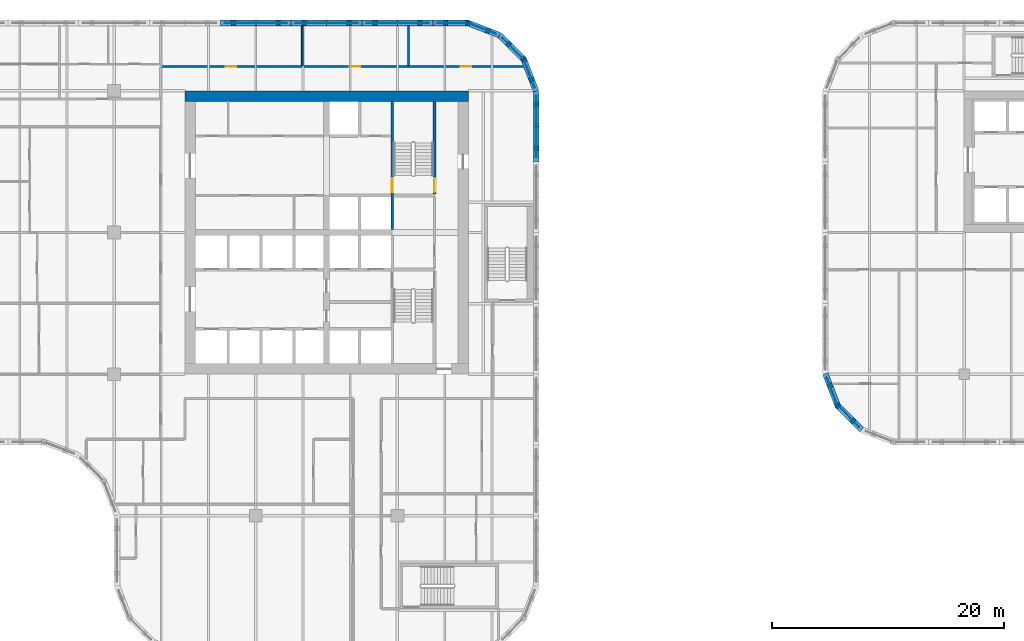
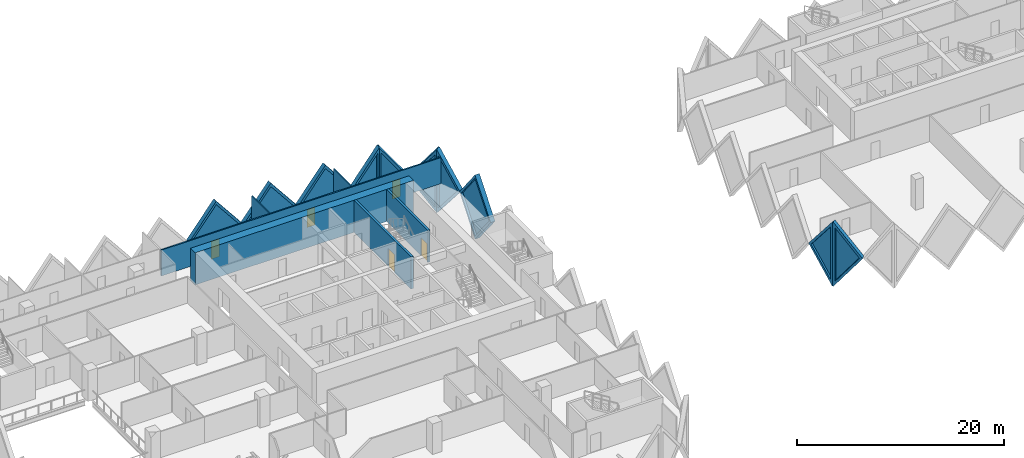
# One storey, part 10 of 18: 16 walls, 10 plates, 5 doors, 15 openings.
"""IFC4 building model written with IfcOpenShell, lengths in metres."""

import ifcopenshell
import ifcopenshell.guid

model = None  # the IFC model being written
_history = None  # IfcOwnerHistory: only IFC2X3 demands one
_inside = {}  # id of a spatial element -> (the spatial element, [elements in it])
_under = {}  # id of a project, library or spatial element -> (it, [spatial elements below it])
_declared = {}  # id of a project -> (the project, [libraries it declares])
_typed = {}  # id of a type object -> (the type object, [elements of that type])
_made_of = {}  # id of a material, layer set ... -> (it, [elements and type objects made of it])


def new_model(schema):
    """Start an empty IFC model of exactly this schema.

    Asked for "IFC4X3", IfcOpenShell would pick the latest addendum, in which some entities
    have other attributes; the version numbers below select the first issue.
    IFC2X3 requires an IfcOwnerHistory on every rooted entity: one is made here for all.
    """
    global model, _history
    if schema == "IFC4X3":
        model = ifcopenshell.file(schema_version=(4, 3, 0, 0))
    else:
        model = ifcopenshell.file(schema=schema)
    _inside.clear()
    _under.clear()
    _declared.clear()
    _typed.clear()
    _made_of.clear()
    _history = None
    if model.schema == "IFC2X3":
        org = make("IfcOrganization", Name="unknown")
        user = make(
            "IfcPersonAndOrganization",
            ThePerson=make("IfcPerson", FamilyName="unknown"),
            TheOrganization=org,
        )
        app = make(
            "IfcApplication",
            ApplicationDeveloper=org,
            Version="unknown",
            ApplicationFullName="unknown",
            ApplicationIdentifier="unknown",
        )
        _history = make(
            "IfcOwnerHistory",
            OwningUser=user,
            OwningApplication=app,
            ChangeAction="ADDED",
            CreationDate=0,
        )
    return model


def make(cls, **values):
    """One entity of the class cls with the attributes given. An attribute that is None is left unset."""
    return model.create_entity(
        cls, **{name: value for name, value in values.items() if value is not None}
    )


def rooted(cls, **values):
    """An entity with a GlobalId (a new one), such as an element, a storey or a relation."""
    return make(cls, GlobalId=ifcopenshell.guid.new(), OwnerHistory=_history, **values)


def si_unit(unit_type, name, prefix=None):
    """IfcSIUnit, for example si_unit("LENGTHUNIT", "METRE", prefix="MILLI")."""
    return make("IfcSIUnit", UnitType=unit_type, Prefix=prefix, Name=name)


def assignment(units):
    """IfcUnitAssignment: the units of a project."""
    return None if units is None else make("IfcUnitAssignment", Units=units)


def point(xyz):
    """IfcCartesianPoint."""
    return None if xyz is None else make("IfcCartesianPoint", Coordinates=xyz)


def direction(xyz):
    """IfcDirection."""
    return None if xyz is None else make("IfcDirection", DirectionRatios=xyz)


def frame(location, z_axis=None, x_axis=None):
    """IfcAxis2Placement3D, a coordinate frame: its origin and axes. An axis left out is left unset."""
    return make(
        "IfcAxis2Placement3D",
        Location=point(location),
        Axis=direction(z_axis),
        RefDirection=direction(x_axis),
    )


def frame_2d(location, x_axis=None):
    """IfcAxis2Placement2D, a coordinate frame in the plane: its origin and x axis."""
    return make(
        "IfcAxis2Placement2D", Location=point(location), RefDirection=direction(x_axis)
    )


def origin():
    """The frame at (0, 0, 0) with its axes left unset."""
    return frame((0.0, 0.0, 0.0))


def place(relative_to, where):
    """IfcLocalPlacement: puts the frame where relative to a parent placement (None: the world)."""
    return make(
        "IfcLocalPlacement", PlacementRelTo=relative_to, RelativePlacement=where
    )


def context(
    kind, dimensions, precision=None, world=None, true_north=None, identifier=None
):
    """IfcGeometricRepresentationContext, for example the 3D "Model" context."""
    return make(
        "IfcGeometricRepresentationContext",
        ContextIdentifier=identifier,
        ContextType=kind,
        CoordinateSpaceDimension=dimensions,
        Precision=precision,
        WorldCoordinateSystem=world,
        TrueNorth=true_north,
    )


def subcontext(parent, identifier, kind, view, scale=None):
    """IfcGeometricRepresentationSubContext, for example "Body" below "Model"."""
    return make(
        "IfcGeometricRepresentationSubContext",
        ContextIdentifier=identifier,
        ContextType=kind,
        ParentContext=parent,
        TargetScale=scale,
        TargetView=view,
    )


def project(units=None, contexts=None):
    """IfcProject with its units and contexts."""
    return rooted(
        "IfcProject",
        Name="project",
        RepresentationContexts=contexts,
        UnitsInContext=assignment(units),
    )


def spatial(cls, under=None, at=None, **own):
    """A site, building, storey or space (cls), placed at a placement, below another one or the project."""
    s = rooted(cls, ObjectPlacement=at, **own)
    if under is not None:
        _under.setdefault(under.id(), (under, []))[1].append(s)
    return s


def polyline(points):
    """IfcPolyline through the points."""
    return make("IfcPolyline", Points=[point(p) for p in points])


def profile(cls, at=None, kind="AREA", **sizes):
    """A parametric profile (cls). Its sizes go by their IFC names, for example OverallWidth=200.0."""
    return make(cls, ProfileType=kind, Position=at, **sizes)


def rectangle(**sizes):
    """IfcRectangleProfileDef."""
    return profile("IfcRectangleProfileDef", **sizes)


def outline(outer, holes=None, kind="AREA"):
    """IfcArbitraryClosedProfileDef: a profile drawn as a closed curve; with holes, ...WithVoids."""
    if holes is None:
        return make("IfcArbitraryClosedProfileDef", ProfileType=kind, OuterCurve=outer)
    return make(
        "IfcArbitraryProfileDefWithVoids",
        ProfileType=kind,
        OuterCurve=outer,
        InnerCurves=holes,
    )


def extrude(swept, where, along, depth):
    """IfcExtrudedAreaSolid: the profile swept, set in the frame where, extruded along a direction by depth."""
    return make(
        "IfcExtrudedAreaSolid",
        SweptArea=swept,
        Position=where,
        ExtrudedDirection=direction(along),
        Depth=depth,
    )


def faces_of(points, faces, orient=None, outer=None):
    """IfcFace entities. A face is a list of loops; a loop is a list of indices into points, from 0.

    orient and outer hold one flag for each loop. By default every Orientation is true, the
    first loop of a face is its IfcFaceOuterBound and the others are IfcFaceBound.
    """
    made = []
    for i, loops in enumerate(faces):
        bounds = []
        for j, loop in enumerate(loops):
            is_outer = j == 0 if outer is None else outer[i][j]
            bounds.append(
                make(
                    "IfcFaceOuterBound" if is_outer else "IfcFaceBound",
                    Bound=make("IfcPolyLoop", Polygon=[points[k] for k in loop]),
                    Orientation=True if orient is None else orient[i][j],
                )
            )
        made.append(make("IfcFace", Bounds=bounds))
    return made


def faceted_brep(points, faces, orient=None, outer=None, voids=None):
    """IfcFacetedBrep: a solid bounded by flat faces; with voids (closed shells), ...WithVoids."""
    shared = [point(p) for p in points]
    hull = make("IfcClosedShell", CfsFaces=faces_of(shared, faces, orient, outer))
    if voids is None:
        return make("IfcFacetedBrep", Outer=hull)
    return make(
        "IfcFacetedBrepWithVoids",
        Outer=hull,
        Voids=[
            make(cls, CfsFaces=faces_of(shared, fs, o, b)) for cls, fs, o, b in voids
        ],
    )


def shape(context_of_items, identifier, shape_type, items):
    """IfcShapeRepresentation: the items that make up one representation, for example the "Body"."""
    return make(
        "IfcShapeRepresentation",
        ContextOfItems=context_of_items,
        RepresentationIdentifier=identifier,
        RepresentationType=shape_type,
        Items=items,
    )


def source(mapping_origin, context_of_items, identifier, shape_type, items):
    """IfcRepresentationMap: a shape defined once, which mapped items show again and again."""
    return make(
        "IfcRepresentationMap",
        MappingOrigin=mapping_origin,
        MappedRepresentation=shape(context_of_items, identifier, shape_type, items),
    )


def transform(
    local_origin,
    x_axis=None,
    y_axis=None,
    z_axis=None,
    scale=None,
    scale2=None,
    scale3=None,
    uniform=True,
):
    """IfcCartesianTransformationOperator3D, or its non-uniform kind. x_axis, y_axis, z_axis: its Axis1, 2, 3."""
    if uniform:
        return make(
            "IfcCartesianTransformationOperator3D",
            Axis1=direction(x_axis),
            Axis2=direction(y_axis),
            LocalOrigin=point(local_origin),
            Scale=scale,
            Axis3=direction(z_axis),
        )
    return make(
        "IfcCartesianTransformationOperator3DnonUniform",
        Axis1=direction(x_axis),
        Axis2=direction(y_axis),
        LocalOrigin=point(local_origin),
        Scale=scale,
        Axis3=direction(z_axis),
        Scale2=scale2,
        Scale3=scale3,
    )


def mapped(mapping_source, mapping_target):
    """IfcMappedItem: shows the shape of a source again, moved by a transform."""
    return make(
        "IfcMappedItem", MappingSource=mapping_source, MappingTarget=mapping_target
    )


def material(Name=None, Category=None):
    """IfcMaterial."""
    return make("IfcMaterial", Name=Name, Category=Category)


def layer(
    of_material, thickness, ventilated=None, Name=None, Category=None, Priority=None
):
    """IfcMaterialLayer: one layer of a wall or slab, of a material (None: an air gap)."""
    return make(
        "IfcMaterialLayer",
        Material=of_material,
        LayerThickness=thickness,
        IsVentilated=ventilated,
        Name=Name,
        Category=Category,
        Priority=Priority,
    )


def layer_set(layers, Name=None):
    """IfcMaterialLayerSet."""
    return make("IfcMaterialLayerSet", MaterialLayers=layers, LayerSetName=Name)


def made_of(thing, what):
    """Note that an element or type object is made of a material, layer set ...; save() writes the relation."""
    if what is not None:
        _made_of.setdefault(what.id(), (what, []))[1].append(thing)
    return thing


def type_object(cls, material=None, **own):
    """A type object (cls), such as IfcWallType, which elements share."""
    return made_of(rooted(cls, **own), material)


def element(
    cls,
    number,
    at=None,
    inside=None,
    cuts=None,
    type_object=None,
    material=None,
    context=None,
    identifier="Body",
    shape_type=None,
    held_by="IfcProductDefinitionShape",
    body=None,
    shapes=None,
    **own,
):
    """One element of the class cls, such as IfcWall. Its Tag is "e" and its number.

    at: its placement. inside: the storey or other place that contains it. cuts: it is an
    opening in that element (IfcRelVoidsElement). A single representation is given by context,
    identifier, shape_type and body (its items); several are given by shapes. held_by: the class
    of the entity that holds the representations. save() writes the other relations.
    """
    e = rooted(cls, Tag="e%d" % number, ObjectPlacement=at, **own)
    if body is not None:
        shapes = [shape(context, identifier, shape_type, body)]
    if shapes is not None:
        e.Representation = make(held_by, Representations=shapes)
    if inside is not None:
        _inside.setdefault(inside.id(), (inside, []))[1].append(e)
    if cuts is not None:
        rooted(
            "IfcRelVoidsElement", RelatingBuildingElement=cuts, RelatedOpeningElement=e
        )
    if type_object is not None:
        _typed.setdefault(type_object.id(), (type_object, []))[1].append(e)
    return made_of(e, material)


def fill(opening, filler):
    """IfcRelFillsElement: the door or window that sits in an opening."""
    return rooted(
        "IfcRelFillsElement",
        RelatingOpeningElement=opening,
        RelatedBuildingElement=filler,
    )


def aggregate(whole, parts):
    """IfcRelAggregates: a whole, such as a stair, and the parts it consists of."""
    return rooted("IfcRelAggregates", RelatingObject=whole, RelatedObjects=parts)


def save(model, path):
    """Write the relations noted so far, then the file.

    IfcRelAggregates (storeys below a building ...), IfcRelContainedInSpatialStructure (elements
    in a storey), IfcRelDefinesByType, IfcRelAssociatesMaterial and IfcRelDeclares: one each for
    every whole, place, type object, material and project.
    """
    for whole, parts in _under.values():
        aggregate(whole, parts)
    for where, things in _inside.values():
        rooted(
            "IfcRelContainedInSpatialStructure",
            RelatedElements=things,
            RelatingStructure=where,
        )
    for kind, things in _typed.values():
        rooted("IfcRelDefinesByType", RelatedObjects=things, RelatingType=kind)
    for what, things in _made_of.values():
        rooted("IfcRelAssociatesMaterial", RelatedObjects=things, RelatingMaterial=what)
    for by, libraries in _declared.values():
        rooted("IfcRelDeclares", RelatingContext=by, RelatedDefinitions=libraries)
    model.write(path)


model = new_model("IFC4")

# Units and contexts
model_context = context("Model", 3, precision=1e-05, world=origin(), true_north=direction((0.0, 1.0)))
body_context = subcontext(model_context, "Body", "Model", "MODEL_VIEW")
ifc_project = project(units=[si_unit("LENGTHUNIT", "METRE"), si_unit("AREAUNIT", "SQUARE_METRE"), si_unit("VOLUMEUNIT", "CUBIC_METRE"), si_unit("PLANEANGLEUNIT", "RADIAN"), si_unit("MASSUNIT", "GRAM", prefix="KILO")], contexts=[model_context])

# Site, building, storey
site_placement = place(None, origin())
site = spatial("IfcSite", under=ifc_project, at=site_placement, CompositionType="ELEMENT")
building_placement = place(site_placement, origin())
building = spatial("IfcBuilding", under=site, at=building_placement, Name="Tessera Gate Towers", CompositionType="ELEMENT")
storey_placement = place(building_placement, frame((0.0, 0.0, 41.0)))
storey = spatial("IfcBuildingStorey", under=building, at=storey_placement, Name="L09", CompositionType="ELEMENT", Elevation=41.0)

# Wall, opening, door
ifc_material_1 = material(Name="Concrete C40/50", Category="concrete")
ifc_layer_1 = layer(ifc_material_1, 0.25)
ifc_layer_set_1 = layer_set([ifc_layer_1], Name="CORE ENCLOSURE WALL 250")
wall_type_1 = type_object("IfcWallType", Name="CORE ENCLOSURE WALL 250", PredefinedType="SOLIDWALL", material=ifc_layer_set_1)
wall_1_placement = place(storey_placement, frame((48.35009765625, 47.89990234375, 0.0), z_axis=(0.0, 0.0, 1.0), x_axis=(0.0, -1.0, 0.0)))
wall_1 = element("IfcWall", 1, at=wall_1_placement, inside=storey, type_object=wall_type_1, Name="L09 shaft and stair enclosure wall", PredefinedType="SOLIDWALL", context=body_context, shape_type="SweptSolid", body=[
    extrude(rectangle(XDim=11.0498046875, YDim=0.25, at=frame_2d((5.52490234375, 0.0))), origin(), (0.0, 0.0, 1.0), 3.800048828125),
])
shared_shape_1 = source(origin(), body_context, "Body", "SweptSolid", [
    extrude(rectangle(XDim=1.199951171875, YDim=2.10009765625, at=frame_2d((0.60009765625, 1.050048828125))), frame((0.0, 0.135009765625, 0.0), z_axis=(0.0, -1.0, 0.0), x_axis=(1.0, 0.0, 0.0)), (0.0, 0.0, 1.0), 0.27001953125),
])
opening_1_placement = place(wall_1_placement, frame((6.625, 0.0, 0.0)))
opening_1 = element("IfcOpeningElement", 2, at=opening_1_placement, cuts=wall_1, Name="Opening SD-ST2-1", PredefinedType="OPENING", context=body_context, shape_type="MappedRepresentation", body=[
    mapped(shared_shape_1, transform((0.0, 0.0, 0.0), scale=1.0)),
])
ifc_material_2 = material(Name="Hollow steel fire door", Category="steel")
door_type_1 = type_object("IfcDoorType", Name="CORE DOOR SD 1200x2100", OperationType="NOTDEFINED", PredefinedType="DOOR", material=ifc_material_2)
shared_shape_2 = source(origin(), body_context, "Body", "SweptSolid", [
    extrude(rectangle(XDim=1.199951171875, YDim=2.10009765625, at=frame_2d((0.60009765625, 1.050048828125))), frame((0.0, 0.02490234375, 0.0), z_axis=(0.0, -1.0, 0.0), x_axis=(1.0, 0.0, 0.0)), (0.0, 0.0, 1.0), 0.050048828125),
])
door_1_placement = place(opening_1_placement, origin())
door_1 = element("IfcDoor", 3, at=door_1_placement, inside=storey, type_object=door_type_1, Name="Stair door", OperationType="SINGLE_SWING_RIGHT", OverallHeight=2.10009765625, OverallWidth=1.199951171875, PredefinedType="DOOR", context=body_context, shape_type="MappedRepresentation", body=[
    mapped(shared_shape_2, transform((0.0, 0.0, 0.0), scale=1.0)),
])
fill(opening_1, door_1)

wall_2_placement = place(storey_placement, frame((52.0, 39.925048828125, 0.0), z_axis=(0.0, 0.0, 1.0), x_axis=(0.0, 1.0, 0.0)))
wall_2 = element("IfcWall", 4, at=wall_2_placement, inside=storey, type_object=wall_type_1, Name="L09 shaft and stair enclosure wall", PredefinedType="SOLIDWALL", context=body_context, shape_type="SweptSolid", body=[
    extrude(rectangle(XDim=7.974853515625, YDim=0.25, at=frame_2d((3.9873046875, 0.0))), origin(), (0.0, 0.0, 1.0), 3.800048828125),
])
opening_2_placement = place(wall_2_placement, frame((0.14990234375, 0.0, 0.0)))
opening_2 = element("IfcOpeningElement", 5, at=opening_2_placement, cuts=wall_2, Name="Opening SD-ST2-2", PredefinedType="OPENING", context=body_context, shape_type="MappedRepresentation", body=[
    mapped(shared_shape_1, transform((0.0, 0.0, 0.0), scale=1.0)),
])
door_2_placement = place(opening_2_placement, origin())
door_2 = element("IfcDoor", 6, at=door_2_placement, inside=storey, type_object=door_type_1, Name="Stair door", OperationType="SINGLE_SWING_LEFT", OverallHeight=2.10009765625, OverallWidth=1.199951171875, PredefinedType="DOOR", context=body_context, shape_type="MappedRepresentation", body=[
    mapped(shared_shape_2, transform((0.0, 0.0, 0.0), scale=1.0)),
])
fill(opening_2, door_2)

# Wall
ifc_material_3 = material(Name="Concrete C70/85", Category="concrete")
ifc_layer_2 = layer(ifc_material_3, 0.89990234375)
ifc_layer_set_2 = layer_set([ifc_layer_2], Name="CORE SHEAR WALL 900 C70/85")
wall_type_2 = type_object("IfcWallType", Name="CORE SHEAR WALL 900 C70/85", PredefinedType="SHEAR", material=ifc_layer_set_2)
wall_3_placement = place(storey_placement, frame((30.5, 48.35009765625, 0.0), z_axis=(0.0, 0.0, 1.0), x_axis=(1.0, 0.0, 0.0)))
element("IfcWall", 7, at=wall_3_placement, inside=storey, type_object=wall_type_2, Name="Core wall N L09", PredefinedType="SHEAR", context=body_context, shape_type="SweptSolid", body=[
    extrude(rectangle(XDim=24.39990234375, YDim=0.89990234375, at=frame_2d((12.199951171875, 0.0))), origin(), (0.0, 0.0, 1.0), 3.800048828125),
])

# Wall, openings, doors
ifc_material_4 = material(Name="Gypsum board on steel studs, mineral wool", Category="steel")
ifc_layer_3 = layer(ifc_material_4, 0.14990234375)
ifc_layer_set_3 = layer_set([ifc_layer_3], Name="CORRIDOR WALL 150")
wall_type_3 = type_object("IfcWallType", Name="CORRIDOR WALL 150", PredefinedType="PARTITIONING", material=ifc_layer_set_3)
wall_4_placement = place(storey_placement, frame((28.39990234375, 50.89990234375, 0.0), z_axis=(0.0, 0.0, 1.0), x_axis=(1.0, 0.0, 0.0)))
wall_4 = element("IfcWall", 8, at=wall_4_placement, inside=storey, type_object=wall_type_3, Name="T1-L09-PW-046", PredefinedType="PARTITIONING", context=body_context, shape_type="SweptSolid", body=[
    extrude(rectangle(XDim=31.254150390625, YDim=0.14990234375, at=frame_2d((15.626953125, 0.0))), origin(), (0.0, 0.0, 1.0), 3.06689453125),
])
shared_shape_3 = source(origin(), body_context, "Body", "SweptSolid", [
    extrude(rectangle(XDim=0.89990234375, YDim=2.10009765625, at=frame_2d((0.449951171875, 1.050048828125))), frame((0.0, 0.0849609375, 0.0), z_axis=(0.0, -1.0, 0.0), x_axis=(1.0, 0.0, 0.0)), (0.0, 0.0, 1.0), 0.169921875),
])
opening_3_placement = place(wall_4_placement, frame((16.301025390625, 0.0, 0.0)))
opening_3 = element("IfcOpeningElement", 9, at=opening_3_placement, cuts=wall_4, Name="Opening D890FD60-A03-09", PredefinedType="OPENING", context=body_context, shape_type="MappedRepresentation", body=[
    mapped(shared_shape_3, transform((0.0, 0.0, 0.0), scale=1.0)),
])
opening_4_placement = place(wall_4_placement, frame((25.85009765625, 0.0, 0.0)))
opening_4 = element("IfcOpeningElement", 10, at=opening_4_placement, cuts=wall_4, Name="Opening D890FD60-A03-11", PredefinedType="OPENING", context=body_context, shape_type="MappedRepresentation", body=[
    mapped(shared_shape_3, transform((0.0, 0.0, 0.0), scale=1.0)),
])
opening_5_placement = place(wall_4_placement, frame((5.60009765625, 0.0, 0.0)))
opening_5 = element("IfcOpeningElement", 11, at=opening_5_placement, cuts=wall_4, Name="Opening D890FD60-A03-13", PredefinedType="OPENING", context=body_context, shape_type="MappedRepresentation", body=[
    mapped(shared_shape_3, transform((0.0, 0.0, 0.0), scale=1.0)),
])
ifc_material_5 = material(Name="Timber door leaf in steel frame", Category="steel")
door_type_2 = type_object("IfcDoorType", Name="CORRIDOR DOOR 900 FD60", OperationType="NOTDEFINED", PredefinedType="DOOR", material=ifc_material_5)
shared_shape_4 = source(origin(), body_context, "Body", "SweptSolid", [
    extrude(rectangle(XDim=0.89990234375, YDim=2.10009765625, at=frame_2d((0.449951171875, 1.050048828125))), frame((0.0, 0.02490234375, 0.0), z_axis=(0.0, -1.0, 0.0), x_axis=(1.0, 0.0, 0.0)), (0.0, 0.0, 1.0), 0.050048828125),
])
door_3_placement = place(opening_3_placement, origin())
door_3 = element("IfcDoor", 12, at=door_3_placement, inside=storey, type_object=door_type_2, Name="T1-L09-PD-026", OperationType="SINGLE_SWING_LEFT", OverallHeight=2.10009765625, OverallWidth=0.89990234375, PredefinedType="DOOR", context=body_context, shape_type="MappedRepresentation", body=[
    mapped(shared_shape_4, transform((0.0, 0.0, 0.0), scale=1.0)),
])
fill(opening_3, door_3)
door_4_placement = place(opening_4_placement, origin())
door_4 = element("IfcDoor", 13, at=door_4_placement, inside=storey, type_object=door_type_2, Name="T1-L09-PD-028", OperationType="SINGLE_SWING_LEFT", OverallHeight=2.10009765625, OverallWidth=0.89990234375, PredefinedType="DOOR", context=body_context, shape_type="MappedRepresentation", body=[
    mapped(shared_shape_4, transform((0.0, 0.0, 0.0), scale=1.0)),
])
fill(opening_4, door_4)
door_5_placement = place(opening_5_placement, origin())
door_5 = element("IfcDoor", 14, at=door_5_placement, inside=storey, type_object=door_type_2, Name="T1-L09-PD-030", OperationType="SINGLE_SWING_LEFT", OverallHeight=2.10009765625, OverallWidth=0.89990234375, PredefinedType="DOOR", context=body_context, shape_type="MappedRepresentation", body=[
    mapped(shared_shape_4, transform((0.0, 0.0, 0.0), scale=1.0)),
])
fill(opening_5, door_5)

# Walls
ifc_material_6 = material(Name="Gypsum board on steel studs, mineral wool", Category="steel")
ifc_layer_4 = layer(ifc_material_6, 0.14990234375)
ifc_layer_set_4 = layer_set([ifc_layer_4], Name="TENANCY WALL 150")
wall_type_4 = type_object("IfcWallType", Name="TENANCY WALL 150", PredefinedType="PARTITIONING", material=ifc_layer_set_4)
for number, where, z_axis, x_axis, name in (
    (15, (40.60009765625, 50.97607421875, 0.0), (0.0, 0.0, 1.0), (0.0, 1.0, 0.0), "T1-L09-PW-047"),
    (16, (49.75, 50.97607421875, 0.0), (0.0, 0.0, 1.0), (0.0, 1.0, 0.0), "T1-L09-PW-048"),
):
    element("IfcWall", number, at=place(storey_placement, frame(where, z_axis=z_axis, x_axis=x_axis)), inside=storey, type_object=wall_type_4, Name=name, PredefinedType="PARTITIONING", context=body_context, shape_type="SweptSolid", body=[
        extrude(rectangle(XDim=3.423828125, YDim=0.14990234375, at=frame_2d((1.7119140625, 0.0))), origin(), (0.0, 0.0, 1.0), 3.06689453125),
    ])

# Wall, opening, plate
ifc_material_7 = material(Name="Precast concrete C60/75 white", Category="concrete")
ifc_layer_5 = layer(ifc_material_7, 0.5)
ifc_layer_set_5 = layer_set([ifc_layer_5], Name="TS1 tessera")
wall_type_5 = type_object("IfcWallType", Name="TS1 tessera", PredefinedType="SOLIDWALL", material=ifc_layer_set_5)
shared_shape_5 = source(origin(), body_context, "Body", "Brep", [
    faceted_brep([(3.050048828125, -0.25, 0.0), (6.099853515625, -0.25, 3.7998046875), (6.099853515625, -0.25, 3.80029296875), (3.050048828125, -0.25, 7.60009765625), (0.0, -0.25, 3.800048828125), (0.0, 0.25, 3.800048828125), (3.050048828125, 0.25, 7.60009765625), (6.099853515625, 0.25, 3.80029296875), (6.099853515625, 0.25, 3.7998046875), (3.050048828125, 0.25, 0.0)], [[[0, 1, 2, 3, 4]], [[5, 6, 7, 8, 9]], [[9, 8, 1, 0]], [[7, 6, 3, 2]], [[6, 5, 4, 3]], [[5, 9, 0, 4]], [[1, 8, 7, 2]]]),
])
wall_5_placement = place(storey_placement, frame((39.64990234375, 54.64990234375, -3.800048828125), z_axis=(0.0, 0.0, 1.0), x_axis=(-1.0, 0.0, 0.0)))
wall_5 = element("IfcWall", 17, at=wall_5_placement, inside=storey, type_object=wall_type_5, Name="Precast tessera T1 TS1-0104", PredefinedType="SOLIDWALL", context=body_context, shape_type="MappedRepresentation", body=[
    mapped(shared_shape_5, transform((0.0, 0.0, 0.0), scale=1.0)),
])
shared_shape_6 = source(origin(), body_context, "Body", "SweptSolid", [
    extrude(outline(polyline([(3.050048828125, 0.3994140625), (5.779541015625, 3.800048828125), (3.050048828125, 7.20068359375), (0.320556640625, 3.800048828125), (3.050048828125, 0.3994140625)])), frame((0.0, 0.260009765625, 0.0), z_axis=(0.0, -1.0, 0.0), x_axis=(1.0, 0.0, 0.0)), (0.0, 0.0, 1.0), 0.52001953125),
])
opening_6_placement = place(wall_5_placement, origin())
opening_6 = element("IfcOpeningElement", 18, at=opening_6_placement, cuts=wall_5, Name="Opening T1-PL2-0210", PredefinedType="OPENING", context=body_context, shape_type="MappedRepresentation", body=[
    mapped(shared_shape_6, transform((0.0, 0.0, 0.0), scale=1.0)),
])
ifc_material_8 = material(Name="Low-e laminated glass", Category="glass")
ifc_layer_6 = layer(ifc_material_8, 0.06005859375)
ifc_layer_set_6 = layer_set([ifc_layer_6], Name="PL2 rhombic pane")
plate_type = type_object("IfcPlateType", Name="PL2 rhombic pane", PredefinedType="SHEET", material=ifc_layer_set_6)
shared_shape_7 = source(origin(), body_context, "Body", "SweptSolid", [
    extrude(outline(polyline([(3.050048828125, 0.3994140625), (5.779541015625, 3.800048828125), (3.050048828125, 7.20068359375), (0.320556640625, 3.800048828125), (3.050048828125, 0.3994140625)])), frame((0.0, 0.030029296875, 0.0), z_axis=(0.0, -1.0, 0.0), x_axis=(1.0, 0.0, 0.0)), (0.0, 0.0, 1.0), 0.06005859375),
])
plate_1_placement = place(opening_6_placement, origin())
plate_1 = element("IfcPlate", 19, at=plate_1_placement, inside=storey, type_object=plate_type, Name="Glass pane T1 PL2-0210", PredefinedType="SHEET", context=body_context, shape_type="MappedRepresentation", body=[
    mapped(shared_shape_7, transform((0.0, 0.0, 0.0), scale=1.0)),
])
fill(opening_6, plate_1)

shared_shape_8 = source(origin(), body_context, "Body", "SweptSolid", [
    extrude(outline(polyline([(3.050048828125, 0.0), (6.10009765625, 3.800048828125), (3.050048828125, 7.60009765625), (0.0, 3.800048828125), (3.050048828125, 0.0)])), frame((0.0, 0.25, 0.0), z_axis=(0.0, -1.0, 0.0), x_axis=(1.0, 0.0, 0.0)), (0.0, 0.0, 1.0), 0.5),
])
wall_6_placement = place(storey_placement, frame((51.85009765625, 54.64990234375, -3.800048828125), z_axis=(0.0, 0.0, 1.0), x_axis=(-1.0, 0.0, 0.0)))
wall_6 = element("IfcWall", 20, at=wall_6_placement, inside=storey, type_object=wall_type_5, Name="Precast tessera T1 TS1-0102", PredefinedType="SOLIDWALL", context=body_context, shape_type="MappedRepresentation", body=[
    mapped(shared_shape_8, transform((0.0, 0.0, 0.0), scale=1.0)),
])
opening_7_placement = place(wall_6_placement, origin())
opening_7 = element("IfcOpeningElement", 21, at=opening_7_placement, cuts=wall_6, Name="Opening T1-PL2-0208", PredefinedType="OPENING", context=body_context, shape_type="MappedRepresentation", body=[
    mapped(shared_shape_6, transform((0.0, 0.0, 0.0), scale=1.0)),
])
plate_2_placement = place(opening_7_placement, origin())
plate_2 = element("IfcPlate", 22, at=plate_2_placement, inside=storey, type_object=plate_type, Name="Glass pane T1 PL2-0208", PredefinedType="SHEET", context=body_context, shape_type="MappedRepresentation", body=[
    mapped(shared_shape_7, transform((0.0, 0.0, 0.0), scale=1.0)),
])
fill(opening_7, plate_2)

wall_7_placement = place(storey_placement, frame((45.75, 54.64990234375, -3.800048828125), z_axis=(0.0, 0.0, 1.0), x_axis=(-1.0, 0.0, 0.0)))
wall_7 = element("IfcWall", 23, at=wall_7_placement, inside=storey, type_object=wall_type_5, Name="Precast tessera T1 TS1-0103", PredefinedType="SOLIDWALL", context=body_context, shape_type="MappedRepresentation", body=[
    mapped(shared_shape_8, transform((0.0, 0.0, 0.0), scale=1.0)),
])
opening_8_placement = place(wall_7_placement, origin())
opening_8 = element("IfcOpeningElement", 24, at=opening_8_placement, cuts=wall_7, Name="Opening T1-PL2-0209", PredefinedType="OPENING", context=body_context, shape_type="MappedRepresentation", body=[
    mapped(shared_shape_6, transform((0.0, 0.0, 0.0), scale=1.0)),
])
plate_3_placement = place(opening_8_placement, origin())
plate_3 = element("IfcPlate", 25, at=plate_3_placement, inside=storey, type_object=plate_type, Name="Glass pane T1 PL2-0209", PredefinedType="SHEET", context=body_context, shape_type="MappedRepresentation", body=[
    mapped(shared_shape_7, transform((0.0, 0.0, 0.0), scale=1.0)),
])
fill(opening_8, plate_3)

shared_shape_9 = source(origin(), body_context, "Body", "Brep", [
    faceted_brep([(3.050048828125, -0.25, 0.0), (6.053466796875, -0.25, 3.800048828125), (3.050048828125, -0.25, 7.60009765625), (0.0, -0.25, 3.800048828125), (0.0, 0.25, 3.800048828125), (3.050048828125, 0.25, 7.60009765625), (6.0068359375, 0.25, 3.85888671875), (6.0068359375, 0.25, 3.7412109375), (3.050048828125, 0.25, 0.0), (6.053466796875, 0.0, 3.800048828125)], [[[0, 1, 2, 3]], [[4, 5, 6, 7, 8]], [[8, 7, 9, 1, 0]], [[6, 5, 2, 1, 9]], [[5, 4, 3, 2]], [[4, 8, 0, 3]], [[9, 7, 6]]]),
])
wall_8_placement = place(storey_placement, frame((60.75, 42.699951171875, -3.800048828125), z_axis=(0.0, 0.0, 1.0), x_axis=(0.0, 1.0, 0.0)))
wall_8 = element("IfcWall", 26, at=wall_8_placement, inside=storey, type_object=wall_type_5, Name="Precast tessera T1 TS1-0101", PredefinedType="SOLIDWALL", context=body_context, shape_type="MappedRepresentation", body=[
    mapped(shared_shape_9, transform((0.0, 0.0, 0.0), scale=1.0)),
])
shared_shape_10 = source(origin(), body_context, "Body", "SweptSolid", [
    extrude(outline(polyline([(3.048583984375, 0.4013671875), (5.73486328125, 3.800048828125), (3.048583984375, 7.19873046875), (0.320556640625, 3.800048828125), (3.048583984375, 0.4013671875)])), frame((0.0, 0.260009765625, 0.0), z_axis=(0.0, -1.0, 0.0), x_axis=(1.0, 0.0, 0.0)), (0.0, 0.0, 1.0), 0.52001953125),
])
opening_9_placement = place(wall_8_placement, origin())
opening_9 = element("IfcOpeningElement", 27, at=opening_9_placement, cuts=wall_8, Name="Opening T1-PL2-0203", PredefinedType="OPENING", context=body_context, shape_type="MappedRepresentation", body=[
    mapped(shared_shape_10, transform((0.0, 0.0, 0.0), scale=1.0)),
])
shared_shape_11 = source(origin(), body_context, "Body", "SweptSolid", [
    extrude(outline(polyline([(3.048583984375, 0.4013671875), (5.73486328125, 3.800048828125), (3.048583984375, 7.19873046875), (0.320556640625, 3.800048828125), (3.048583984375, 0.4013671875)])), frame((0.0, 0.030029296875, 0.0), z_axis=(0.0, -1.0, 0.0), x_axis=(1.0, 0.0, 0.0)), (0.0, 0.0, 1.0), 0.06005859375),
])
plate_4_placement = place(opening_9_placement, origin())
plate_4 = element("IfcPlate", 28, at=plate_4_placement, inside=storey, type_object=plate_type, Name="Glass pane T1 PL2-0203", PredefinedType="SHEET", context=body_context, shape_type="MappedRepresentation", body=[
    mapped(shared_shape_11, transform((0.0, 0.0, 0.0), scale=1.0)),
])
fill(opening_9, plate_4)

ifc_material_9 = material(Name="Precast concrete C60/75 white", Category="concrete")
ifc_layer_7 = layer(ifc_material_9, 0.5)
ifc_layer_set_7 = layer_set([ifc_layer_7], Name="TS3 corner tessera")
wall_type_6 = type_object("IfcWallType", Name="TS3 corner tessera", PredefinedType="SOLIDWALL", material=ifc_layer_set_7)
shared_shape_12 = source(origin(), body_context, "Body", "Brep", [
    faceted_brep([(2.950439453125, -0.25, 0.0), (2.9970703125, -0.25, 0.05908203125), (2.9970703125, -0.25, 7.541015625), (2.950439453125, -0.25, 7.60009765625), (0.0, -0.25, 3.800048828125), (0.052978515625, 0.25, 3.8681640625), (2.904052734375, 0.25, 7.540283203125), (2.904052734375, 0.25, 0.059814453125), (0.052978515625, 0.25, 3.73193359375), (2.950439453125, 0.00048828125, 0.0), (2.950439453125, 0.00048828125, 7.60009765625), (0.0, 0.0, 3.800048828125)], [[[0, 1, 2, 3, 4]], [[5, 6, 7, 8]], [[1, 0, 9]], [[10, 3, 2]], [[6, 5, 11, 4, 3, 10]], [[8, 7, 9, 0, 4, 11]], [[8, 11, 5]], [[1, 9, 7, 6, 10, 2]]]),
])
wall_9_placement = place(storey_placement, frame((57.606201171875, 53.588134765625, -3.800048828125), z_axis=(0.0, 0.0, 1.0), x_axis=(-0.932990326376, 0.359901446078, 0.0)))
wall_9 = element("IfcWall", 29, at=wall_9_placement, inside=storey, type_object=wall_type_6, Name="Precast corner tessera T1 TS3-0177", PredefinedType="SOLIDWALL", context=body_context, shape_type="MappedRepresentation", body=[
    mapped(shared_shape_12, transform((0.0, 0.0, 0.0), scale=1.0)),
])
shared_shape_13 = source(origin(), body_context, "Body", "SweptSolid", [
    extrude(outline(polyline([(2.75048828125, 6.934814453125), (0.31640625, 3.800048828125), (2.75048828125, 0.665283203125), (2.75048828125, 6.934814453125)])), frame((0.0, 0.260009765625, 0.0), z_axis=(0.0, -1.0, 0.0), x_axis=(1.0, 0.0, 0.0)), (0.0, 0.0, 1.0), 0.52001953125),
])
opening_10_placement = place(wall_9_placement, origin())
opening_10 = element("IfcOpeningElement", 30, at=opening_10_placement, cuts=wall_9, Name="Opening T1-PL2-0206", PredefinedType="OPENING", context=body_context, shape_type="MappedRepresentation", body=[
    mapped(shared_shape_13, transform((0.0, 0.0, 0.0), scale=1.0)),
])
shared_shape_14 = source(origin(), body_context, "Body", "SweptSolid", [
    extrude(outline(polyline([(2.75048828125, 6.934814453125), (0.31640625, 3.800048828125), (2.75048828125, 0.665283203125), (2.75048828125, 6.934814453125)])), frame((0.0, 0.030029296875, 0.0), z_axis=(0.0, -1.0, 0.0), x_axis=(1.0, 0.0, 0.0)), (0.0, 0.0, 1.0), 0.06005859375),
])
plate_5_placement = place(opening_10_placement, origin())
plate_5 = element("IfcPlate", 31, at=plate_5_placement, inside=storey, type_object=plate_type, Name="Glass pane T1 PL2-0206", PredefinedType="SHEET", context=body_context, shape_type="MappedRepresentation", body=[
    mapped(shared_shape_14, transform((0.0, 0.0, 0.0), scale=1.0)),
])
fill(opening_10, plate_5)

shared_shape_15 = source(origin(), body_context, "Body", "Brep", [
    faceted_brep([(0.046630859375, -0.25, 0.0), (3.050048828125, -0.25, 3.800048828125), (0.046630859375, -0.25, 7.60009765625), (0.0, -0.25, 7.5400390625), (0.0, -0.25, 0.06005859375), (0.09326171875, 0.25, 7.541259765625), (3.050048828125, 0.25, 3.800048828125), (0.09326171875, 0.25, 0.058837890625), (0.046630859375, 0.0, 0.0), (0.046630859375, 0.0, 7.60009765625)], [[[0, 1, 2, 3, 4]], [[5, 6, 7]], [[7, 6, 1, 0, 8]], [[6, 5, 9, 2, 1]], [[3, 2, 9]], [[8, 0, 4]], [[7, 8, 4, 3, 9, 5]]]),
])
wall_10_placement = place(storey_placement, frame((54.900146484375, 54.64990234375, -3.800048828125), z_axis=(0.0, 0.0, 1.0), x_axis=(-1.0, 0.0, 0.0)))
wall_10 = element("IfcWall", 32, at=wall_10_placement, inside=storey, type_object=wall_type_6, Name="Precast corner tessera T1 TS3-0178", PredefinedType="SOLIDWALL", context=body_context, shape_type="MappedRepresentation", body=[
    mapped(shared_shape_15, transform((0.0, 0.0, 0.0), scale=1.0)),
])
shared_shape_16 = source(origin(), body_context, "Body", "SweptSolid", [
    extrude(outline(polyline([(0.24658203125, 0.65625), (2.7314453125, 3.800048828125), (0.24658203125, 6.94384765625), (0.24658203125, 0.65625)])), frame((0.0, 0.260009765625, 0.0), z_axis=(0.0, -1.0, 0.0), x_axis=(1.0, 0.0, 0.0)), (0.0, 0.0, 1.0), 0.52001953125),
])
opening_11_placement = place(wall_10_placement, origin())
opening_11 = element("IfcOpeningElement", 33, at=opening_11_placement, cuts=wall_10, Name="Opening T1-PL2-0207", PredefinedType="OPENING", context=body_context, shape_type="MappedRepresentation", body=[
    mapped(shared_shape_16, transform((0.0, 0.0, 0.0), scale=1.0)),
])
shared_shape_17 = source(origin(), body_context, "Body", "SweptSolid", [
    extrude(outline(polyline([(0.24658203125, 0.65625), (2.7314453125, 3.800048828125), (0.24658203125, 6.94384765625), (0.24658203125, 0.65625)])), frame((0.0, 0.030029296875, 0.0), z_axis=(0.0, -1.0, 0.0), x_axis=(1.0, 0.0, 0.0)), (0.0, 0.0, 1.0), 0.06005859375),
])
plate_6_placement = place(opening_11_placement, origin())
plate_6 = element("IfcPlate", 34, at=plate_6_placement, inside=storey, type_object=plate_type, Name="Glass pane T1 PL2-0207", PredefinedType="SHEET", context=body_context, shape_type="MappedRepresentation", body=[
    mapped(shared_shape_17, transform((0.0, 0.0, 0.0), scale=1.0)),
])
fill(opening_11, plate_6)

shared_shape_18 = source(origin(), body_context, "Body", "Brep", [
    faceted_brep([(0.052978515625, -0.25, 0.0), (2.9970703125, -0.25, 3.800048828125), (0.052978515625, -0.25, 7.60009765625), (0.0, -0.25, 7.531982421875), (0.0, -0.25, 0.068115234375), (0.10595703125, 0.25, 7.53173828125), (2.944091796875, 0.25, 3.8681640625), (2.944091796875, 0.25, 3.73193359375), (0.10595703125, 0.25, 0.068359375), (2.9970703125, 0.000244140625, 3.800048828125), (0.052978515625, 0.0, 0.0), (0.052978515625, 0.0, 7.60009765625)], [[[0, 1, 2, 3, 4]], [[5, 6, 7, 8]], [[8, 7, 9, 1, 0, 10]], [[6, 5, 11, 2, 1, 9]], [[3, 2, 11]], [[10, 0, 4]], [[8, 10, 4, 3, 11, 5]], [[9, 7, 6]]]),
])
wall_11_placement = place(storey_placement, frame((86.674560546875, 21.731201171875, -3.800048828125), z_axis=(0.0, 0.0, 1.0), x_axis=(0.707106781187, -0.707106781187, 0.0)))
wall_11 = element("IfcWall", 35, at=wall_11_placement, inside=storey, type_object=wall_type_6, Name="Precast corner tessera T2 TS3-0128", PredefinedType="SOLIDWALL", context=body_context, shape_type="MappedRepresentation", body=[
    mapped(shared_shape_18, transform((0.0, 0.0, 0.0), scale=1.0)),
])
shared_shape_19 = source(origin(), body_context, "Body", "SweptSolid", [
    extrude(outline(polyline([(0.2529296875, 0.666259765625), (2.680908203125, 3.800048828125), (0.2529296875, 6.933837890625), (0.2529296875, 0.666259765625)])), frame((0.0, 0.260009765625, 0.0), z_axis=(0.0, -1.0, 0.0), x_axis=(1.0, 0.0, 0.0)), (0.0, 0.0, 1.0), 0.52001953125),
])
opening_12_placement = place(wall_11_placement, origin())
opening_12 = element("IfcOpeningElement", 36, at=opening_12_placement, cuts=wall_11, Name="Opening T2-PL2-0169", PredefinedType="OPENING", context=body_context, shape_type="MappedRepresentation", body=[
    mapped(shared_shape_19, transform((0.0, 0.0, 0.0), scale=1.0)),
])
shared_shape_20 = source(origin(), body_context, "Body", "SweptSolid", [
    extrude(outline(polyline([(0.2529296875, 0.666259765625), (2.680908203125, 3.800048828125), (0.2529296875, 6.933837890625), (0.2529296875, 0.666259765625)])), frame((0.0, 0.030029296875, 0.0), z_axis=(0.0, -1.0, 0.0), x_axis=(1.0, 0.0, 0.0)), (0.0, 0.0, 1.0), 0.06005859375),
])
plate_7_placement = place(opening_12_placement, origin())
plate_7 = element("IfcPlate", 37, at=plate_7_placement, inside=storey, type_object=plate_type, Name="Glass pane T2 PL2-0169", PredefinedType="SHEET", context=body_context, shape_type="MappedRepresentation", body=[
    mapped(shared_shape_20, transform((0.0, 0.0, 0.0), scale=1.0)),
])
fill(opening_12, plate_7)

shared_shape_21 = source(origin(), body_context, "Body", "Brep", [
    faceted_brep([(2.950439453125, -0.25, 0.0), (3.00341796875, -0.25, 0.068359375), (3.00341796875, -0.25, 7.53173828125), (2.950439453125, -0.25, 7.60009765625), (0.0, -0.25, 3.800048828125), (0.046630859375, 0.25, 3.860107421875), (2.897705078125, 0.25, 7.531982421875), (2.897705078125, 0.25, 0.068115234375), (0.046630859375, 0.25, 3.739990234375), (2.950439453125, 0.00048828125, 0.0), (2.950439453125, 0.00048828125, 7.60009765625), (0.0, 0.0, 3.800048828125)], [[[0, 1, 2, 3, 4]], [[5, 6, 7, 8]], [[1, 0, 9]], [[10, 3, 2]], [[6, 5, 11, 4, 3, 10]], [[8, 7, 9, 0, 4, 11]], [[8, 11, 5]], [[1, 9, 7, 6, 10, 2]]]),
])
wall_12_placement = place(storey_placement, frame((60.75, 48.75341796875, -3.800048828125), z_axis=(0.0, 0.0, 1.0), x_axis=(-0.35992665181, 0.932980602862, 0.0)))
wall_12 = element("IfcWall", 38, at=wall_12_placement, inside=storey, type_object=wall_type_6, Name="Precast corner tessera T1 TS3-0175", PredefinedType="SOLIDWALL", context=body_context, shape_type="MappedRepresentation", body=[
    mapped(shared_shape_21, transform((0.0, 0.0, 0.0), scale=1.0)),
])
opening_13_placement = place(wall_12_placement, origin())
opening_13 = element("IfcOpeningElement", 39, at=opening_13_placement, cuts=wall_12, Name="Opening T1-PL2-0204", PredefinedType="OPENING", context=body_context, shape_type="MappedRepresentation", body=[
    mapped(shared_shape_13, transform((0.0, 0.0, 0.0), scale=1.0)),
])
plate_8_placement = place(opening_13_placement, origin())
plate_8 = element("IfcPlate", 40, at=plate_8_placement, inside=storey, type_object=plate_type, Name="Glass pane T1 PL2-0204", PredefinedType="SHEET", context=body_context, shape_type="MappedRepresentation", body=[
    mapped(shared_shape_14, transform((0.0, 0.0, 0.0), scale=1.0)),
])
fill(opening_13, plate_8)

wall_13_placement = place(storey_placement, frame((85.64990234375, 24.446533203125, -3.800048828125), z_axis=(0.0, 0.0, 1.0), x_axis=(0.35992665181, -0.932980602862, 0.0)))
wall_13 = element("IfcWall", 41, at=wall_13_placement, inside=storey, type_object=wall_type_6, Name="Precast corner tessera T2 TS3-0127", PredefinedType="SOLIDWALL", context=body_context, shape_type="MappedRepresentation", body=[
    mapped(shared_shape_21, transform((0.0, 0.0, 0.0), scale=1.0)),
])
opening_14_placement = place(wall_13_placement, origin())
opening_14 = element("IfcOpeningElement", 42, at=opening_14_placement, cuts=wall_13, Name="Opening T2-PL2-0168", PredefinedType="OPENING", context=body_context, shape_type="MappedRepresentation", body=[
    mapped(shared_shape_13, transform((0.0, 0.0, 0.0), scale=1.0)),
])
plate_9_placement = place(opening_14_placement, origin())
plate_9 = element("IfcPlate", 43, at=plate_9_placement, inside=storey, type_object=plate_type, Name="Glass pane T2 PL2-0168", PredefinedType="SHEET", context=body_context, shape_type="MappedRepresentation", body=[
    mapped(shared_shape_14, transform((0.0, 0.0, 0.0), scale=1.0)),
])
fill(opening_14, plate_9)

shared_shape_22 = source(origin(), body_context, "Body", "Brep", [
    faceted_brep([(0.052978515625, -0.25, 0.0), (2.9970703125, -0.25, 3.800048828125), (0.052978515625, -0.25, 7.60009765625), (0.0, -0.25, 7.531982421875), (0.0, -0.25, 0.068115234375), (0.10595703125, 0.25, 7.53173828125), (2.944091796875, 0.25, 3.8681640625), (2.944091796875, 0.25, 3.73193359375), (0.10595703125, 0.25, 0.068359375), (2.9970703125, 0.000244140625, 3.800048828125), (0.052978515625, 0.0, 0.0), (0.052978515625, 0.0, 7.60009765625)], [[[0, 1, 2, 3, 4]], [[5, 6, 7, 8]], [[8, 7, 9, 1, 0, 10]], [[6, 5, 11, 2, 1, 9]], [[3, 2, 11]], [[10, 0, 4]], [[8, 10, 4, 3, 11, 5]], [[9, 7, 6]]]),
])
wall_14_placement = place(storey_placement, frame((59.7255859375, 51.46875, -3.800048828125), z_axis=(0.0, 0.0, 1.0), x_axis=(-0.707106781187, 0.707106781187, 0.0)))
wall_14 = element("IfcWall", 44, at=wall_14_placement, inside=storey, type_object=wall_type_6, Name="Precast corner tessera T1 TS3-0176", PredefinedType="SOLIDWALL", context=body_context, shape_type="MappedRepresentation", body=[
    mapped(shared_shape_22, transform((0.0, 0.0, 0.0), scale=1.0)),
])
opening_15_placement = place(wall_14_placement, origin())
opening_15 = element("IfcOpeningElement", 45, at=opening_15_placement, cuts=wall_14, Name="Opening T1-PL2-0205", PredefinedType="OPENING", context=body_context, shape_type="MappedRepresentation", body=[
    mapped(shared_shape_19, transform((0.0, 0.0, 0.0), scale=1.0)),
])
plate_10_placement = place(opening_15_placement, origin())
plate_10 = element("IfcPlate", 46, at=plate_10_placement, inside=storey, type_object=plate_type, Name="Glass pane T1 PL2-0205", PredefinedType="SHEET", context=body_context, shape_type="MappedRepresentation", body=[
    mapped(shared_shape_20, transform((0.0, 0.0, 0.0), scale=1.0)),
])
fill(opening_15, plate_10)

save(model, "model.ifc")
